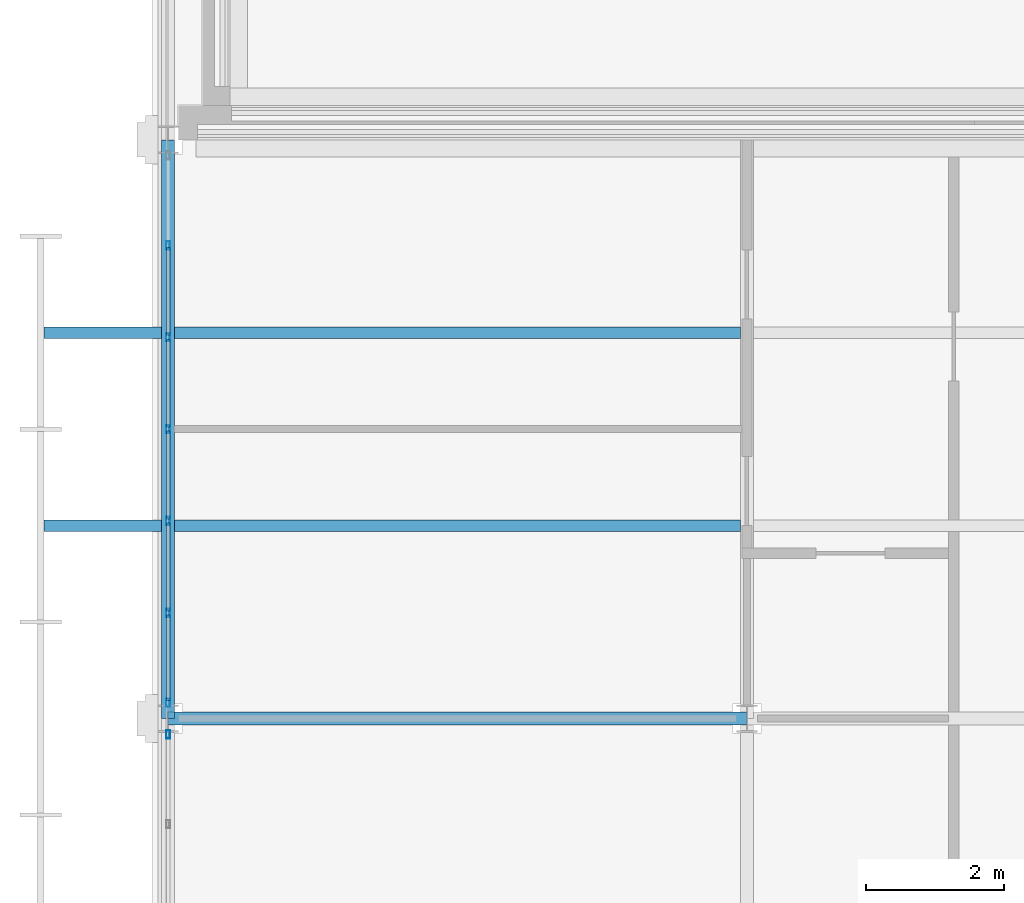
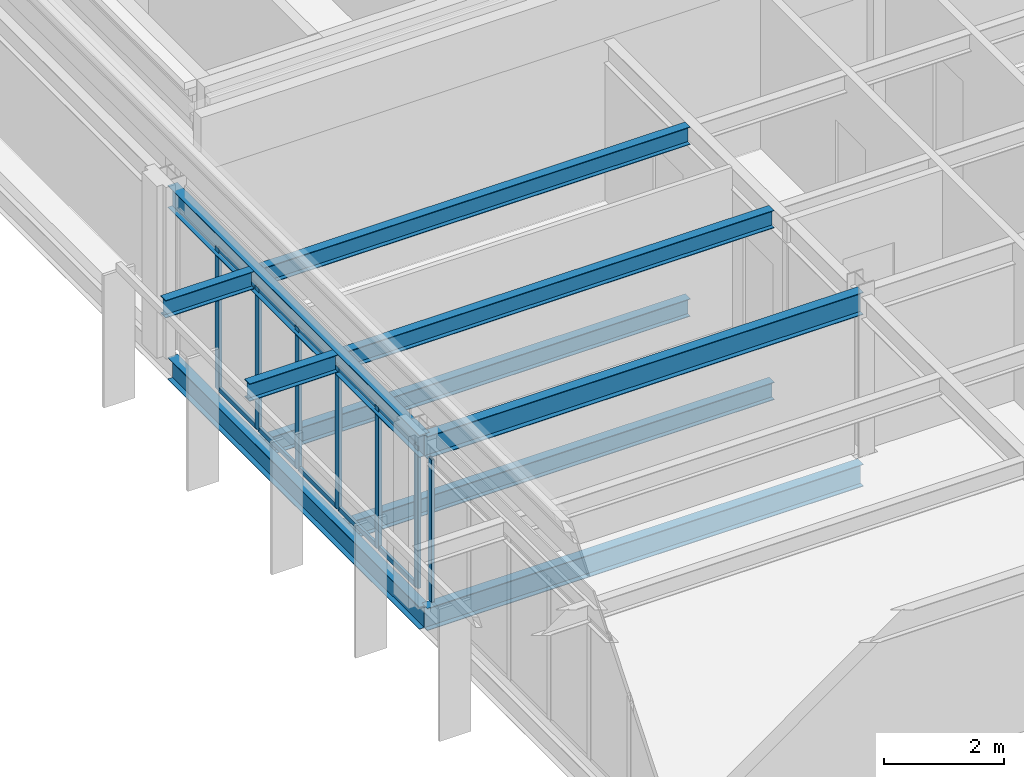
# One storey, part 15 of 31: 17 members, 10 beams, 2 elements without a shape of their own.
"""IFC4 building model written with IfcOpenShell, lengths in metres."""

import ifcopenshell
import ifcopenshell.guid

model = None  # the IFC model being written
_history = None  # IfcOwnerHistory: only IFC2X3 demands one
_inside = {}  # id of a spatial element -> (the spatial element, [elements in it])
_under = {}  # id of a project, library or spatial element -> (it, [spatial elements below it])
_declared = {}  # id of a project -> (the project, [libraries it declares])
_typed = {}  # id of a type object -> (the type object, [elements of that type])
_made_of = {}  # id of a material, layer set ... -> (it, [elements and type objects made of it])


def new_model(schema):
    """Start an empty IFC model of exactly this schema.

    Asked for "IFC4X3", IfcOpenShell would pick the latest addendum, in which some entities
    have other attributes; the version numbers below select the first issue.
    IFC2X3 requires an IfcOwnerHistory on every rooted entity: one is made here for all.
    """
    global model, _history
    if schema == "IFC4X3":
        model = ifcopenshell.file(schema_version=(4, 3, 0, 0))
    else:
        model = ifcopenshell.file(schema=schema)
    _inside.clear()
    _under.clear()
    _declared.clear()
    _typed.clear()
    _made_of.clear()
    _history = None
    if model.schema == "IFC2X3":
        org = make("IfcOrganization", Name="unknown")
        user = make(
            "IfcPersonAndOrganization",
            ThePerson=make("IfcPerson", FamilyName="unknown"),
            TheOrganization=org,
        )
        app = make(
            "IfcApplication",
            ApplicationDeveloper=org,
            Version="unknown",
            ApplicationFullName="unknown",
            ApplicationIdentifier="unknown",
        )
        _history = make(
            "IfcOwnerHistory",
            OwningUser=user,
            OwningApplication=app,
            ChangeAction="ADDED",
            CreationDate=0,
        )
    return model


def make(cls, **values):
    """One entity of the class cls with the attributes given. An attribute that is None is left unset."""
    return model.create_entity(
        cls, **{name: value for name, value in values.items() if value is not None}
    )


def rooted(cls, **values):
    """An entity with a GlobalId (a new one), such as an element, a storey or a relation."""
    return make(cls, GlobalId=ifcopenshell.guid.new(), OwnerHistory=_history, **values)


def si_unit(unit_type, name, prefix=None):
    """IfcSIUnit, for example si_unit("LENGTHUNIT", "METRE", prefix="MILLI")."""
    return make("IfcSIUnit", UnitType=unit_type, Prefix=prefix, Name=name)


def assignment(units):
    """IfcUnitAssignment: the units of a project."""
    return None if units is None else make("IfcUnitAssignment", Units=units)


def point(xyz):
    """IfcCartesianPoint."""
    return None if xyz is None else make("IfcCartesianPoint", Coordinates=xyz)


def direction(xyz):
    """IfcDirection."""
    return None if xyz is None else make("IfcDirection", DirectionRatios=xyz)


def frame(location, z_axis=None, x_axis=None):
    """IfcAxis2Placement3D, a coordinate frame: its origin and axes. An axis left out is left unset."""
    return make(
        "IfcAxis2Placement3D",
        Location=point(location),
        Axis=direction(z_axis),
        RefDirection=direction(x_axis),
    )


def frame_2d(location, x_axis=None):
    """IfcAxis2Placement2D, a coordinate frame in the plane: its origin and x axis."""
    return make(
        "IfcAxis2Placement2D", Location=point(location), RefDirection=direction(x_axis)
    )


def origin():
    """The frame at (0, 0, 0) with its axes left unset."""
    return frame((0.0, 0.0, 0.0))


def origin_2d():
    """The frame at (0, 0) in the plane with its x axis left unset."""
    return frame_2d((0.0, 0.0))


def place(relative_to, where):
    """IfcLocalPlacement: puts the frame where relative to a parent placement (None: the world)."""
    return make(
        "IfcLocalPlacement", PlacementRelTo=relative_to, RelativePlacement=where
    )


def context(
    kind, dimensions, precision=None, world=None, true_north=None, identifier=None
):
    """IfcGeometricRepresentationContext, for example the 3D "Model" context."""
    return make(
        "IfcGeometricRepresentationContext",
        ContextIdentifier=identifier,
        ContextType=kind,
        CoordinateSpaceDimension=dimensions,
        Precision=precision,
        WorldCoordinateSystem=world,
        TrueNorth=true_north,
    )


def subcontext(parent, identifier, kind, view, scale=None):
    """IfcGeometricRepresentationSubContext, for example "Body" below "Model"."""
    return make(
        "IfcGeometricRepresentationSubContext",
        ContextIdentifier=identifier,
        ContextType=kind,
        ParentContext=parent,
        TargetScale=scale,
        TargetView=view,
    )


def project(units=None, contexts=None):
    """IfcProject with its units and contexts."""
    return rooted(
        "IfcProject",
        Name="project",
        RepresentationContexts=contexts,
        UnitsInContext=assignment(units),
    )


def spatial(cls, under=None, at=None, **own):
    """A site, building, storey or space (cls), placed at a placement, below another one or the project."""
    s = rooted(cls, ObjectPlacement=at, **own)
    if under is not None:
        _under.setdefault(under.id(), (under, []))[1].append(s)
    return s


def profile(cls, at=None, kind="AREA", **sizes):
    """A parametric profile (cls). Its sizes go by their IFC names, for example OverallWidth=200.0."""
    return make(cls, ProfileType=kind, Position=at, **sizes)


def hollow_rectangle(**sizes):
    """IfcRectangleHollowProfileDef."""
    return profile("IfcRectangleHollowProfileDef", **sizes)


def i_section(**sizes):
    """IfcIShapeProfileDef."""
    return profile("IfcIShapeProfileDef", **sizes)


def extrude(swept, where, along, depth):
    """IfcExtrudedAreaSolid: the profile swept, set in the frame where, extruded along a direction by depth."""
    return make(
        "IfcExtrudedAreaSolid",
        SweptArea=swept,
        Position=where,
        ExtrudedDirection=direction(along),
        Depth=depth,
    )


def shape(context_of_items, identifier, shape_type, items):
    """IfcShapeRepresentation: the items that make up one representation, for example the "Body"."""
    return make(
        "IfcShapeRepresentation",
        ContextOfItems=context_of_items,
        RepresentationIdentifier=identifier,
        RepresentationType=shape_type,
        Items=items,
    )


def material(Name=None, Category=None):
    """IfcMaterial."""
    return make("IfcMaterial", Name=Name, Category=Category)


def material_profile(
    of_material, cross_section, Name=None, Category=None, Priority=None
):
    """IfcMaterialProfile: a cross section and its material."""
    return make(
        "IfcMaterialProfile",
        Name=Name,
        Material=of_material,
        Profile=cross_section,
        Priority=Priority,
        Category=Category,
    )


def profile_set(profiles, Name=None, composite=None):
    """IfcMaterialProfileSet."""
    return make(
        "IfcMaterialProfileSet",
        Name=Name,
        MaterialProfiles=profiles,
        CompositeProfile=composite,
    )


def made_of(thing, what):
    """Note that an element or type object is made of a material, layer set ...; save() writes the relation."""
    if what is not None:
        _made_of.setdefault(what.id(), (what, []))[1].append(thing)
    return thing


def type_object(cls, material=None, **own):
    """A type object (cls), such as IfcWallType, which elements share."""
    return made_of(rooted(cls, **own), material)


def element(
    cls,
    number,
    at=None,
    inside=None,
    cuts=None,
    type_object=None,
    material=None,
    context=None,
    identifier="Body",
    shape_type=None,
    held_by="IfcProductDefinitionShape",
    body=None,
    shapes=None,
    **own,
):
    """One element of the class cls, such as IfcWall. Its Tag is "e" and its number.

    at: its placement. inside: the storey or other place that contains it. cuts: it is an
    opening in that element (IfcRelVoidsElement). A single representation is given by context,
    identifier, shape_type and body (its items); several are given by shapes. held_by: the class
    of the entity that holds the representations. save() writes the other relations.
    """
    e = rooted(cls, Tag="e%d" % number, ObjectPlacement=at, **own)
    if body is not None:
        shapes = [shape(context, identifier, shape_type, body)]
    if shapes is not None:
        e.Representation = make(held_by, Representations=shapes)
    if inside is not None:
        _inside.setdefault(inside.id(), (inside, []))[1].append(e)
    if cuts is not None:
        rooted(
            "IfcRelVoidsElement", RelatingBuildingElement=cuts, RelatedOpeningElement=e
        )
    if type_object is not None:
        _typed.setdefault(type_object.id(), (type_object, []))[1].append(e)
    return made_of(e, material)


def aggregate(whole, parts):
    """IfcRelAggregates: a whole, such as a stair, and the parts it consists of."""
    return rooted("IfcRelAggregates", RelatingObject=whole, RelatedObjects=parts)


def save(model, path):
    """Write the relations noted so far, then the file.

    IfcRelAggregates (storeys below a building ...), IfcRelContainedInSpatialStructure (elements
    in a storey), IfcRelDefinesByType, IfcRelAssociatesMaterial and IfcRelDeclares: one each for
    every whole, place, type object, material and project.
    """
    for whole, parts in _under.values():
        aggregate(whole, parts)
    for where, things in _inside.values():
        rooted(
            "IfcRelContainedInSpatialStructure",
            RelatedElements=things,
            RelatingStructure=where,
        )
    for kind, things in _typed.values():
        rooted("IfcRelDefinesByType", RelatedObjects=things, RelatingType=kind)
    for what, things in _made_of.values():
        rooted("IfcRelAssociatesMaterial", RelatedObjects=things, RelatingMaterial=what)
    for by, libraries in _declared.values():
        rooted("IfcRelDeclares", RelatingContext=by, RelatedDefinitions=libraries)
    model.write(path)


model = new_model("IFC4")

# Units and contexts
model_context = context("Model", 3, precision=1e-05, world=origin(), true_north=direction((0.0, 1.0)))
body_context = subcontext(model_context, "Body", "Model", "MODEL_VIEW")
ifc_project = project(units=[si_unit("LENGTHUNIT", "METRE"), si_unit("AREAUNIT", "SQUARE_METRE"), si_unit("VOLUMEUNIT", "CUBIC_METRE"), si_unit("PLANEANGLEUNIT", "RADIAN"), si_unit("MASSUNIT", "GRAM", prefix="KILO")], contexts=[model_context])

# Site, building, storey
site_placement = place(None, origin())
site = spatial("IfcSite", under=ifc_project, at=site_placement, CompositionType="ELEMENT")
building_placement = place(site_placement, origin())
building = spatial("IfcBuilding", under=site, at=building_placement, Name="Catenary Quay Ferry Terminal", CompositionType="ELEMENT")
storey_placement = place(building_placement, frame((0.0, 0.0, 20.60009765625)))
storey = spatial("IfcBuildingStorey", under=building, at=storey_placement, Name="L04", CompositionType="ELEMENT", Elevation=20.60009765625)

# Beams
ifc_material_1 = material(Name="Steel S355", Category="steel")
ifc_material_profile_1 = material_profile(ifc_material_1, i_section(OverallWidth=0.18994140625, OverallDepth=0.453369140625, WebThickness=0.008544921875, FlangeThickness=0.0126953125, at=origin_2d()), Name="UB 457x191x67")
ifc_profile_set_1 = profile_set([ifc_material_profile_1], Name="Steel S355")
beam_type_1 = type_object("IfcBeamType", Name="B1 UB 457x191x67", PredefinedType="BEAM", material=ifc_profile_set_1)
for number, where, z_axis, x_axis, name in (
    (1, (25.199951171875, 193.199951171875, -0.47705078125), (1.0, 0.0, 0.0), (0.0, 1.0, 0.0), "Beam B1-007"),
    (2, (25.199951171875, 193.199951171875, -0.47705078125), (0.0, 1.0, 0.0), (-1.0, 0.0, 0.0), "Beam B1-014"),
    (3, (25.199951171875, 193.199951171875, 3.02294921875), (1.0, 0.0, 0.0), (0.0, 1.0, 0.0), "Beam B1-005"),
    (4, (25.199951171875, 193.199951171875, 3.02294921875), (0.0, 1.0, 0.0), (-1.0, 0.0, 0.0), "Beam B1-011"),
):
    element("IfcBeam", number, at=place(storey_placement, frame(where, z_axis=z_axis, x_axis=x_axis)), inside=storey, type_object=beam_type_1, Name=name, PredefinedType="BEAM", context=body_context, shape_type="SweptSolid", body=[
        extrude(i_section(OverallWidth=0.18994140625, OverallDepth=0.453369140625, WebThickness=0.008544921875, FlangeThickness=0.0126953125, at=origin_2d()), origin(), (0.0, 0.0, 1.0), 8.400146484375),
    ])
ifc_material_2 = material(Name="Steel S355", Category="steel")
ifc_material_profile_2 = material_profile(ifc_material_2, i_section(OverallWidth=0.169921875, OverallDepth=0.360107421875, WebThickness=0.008056640625, FlangeThickness=0.0126953125, at=origin_2d()), Name="IPE 360")
ifc_profile_set_2 = profile_set([ifc_material_profile_2], Name="Steel S355")
beam_type_2 = type_object("IfcBeamType", Name="B7 IPE 360", PredefinedType="BEAM", material=ifc_profile_set_2)
for number, where, z_axis, x_axis, name in (
    (5, (25.294921875, 196.0, -0.43017578125), (1.0, 0.0, 0.0), (0.0, 1.0, 0.0), "Beam B7-019"),
    (6, (25.294921875, 198.800048828125, -0.43017578125), (1.0, 0.0, 0.0), (0.0, 1.0, 0.0), "Beam B7-022"),
    (7, (25.294921875, 196.0, 3.06982421875), (1.0, 0.0, 0.0), (0.0, 1.0, 0.0), "Beam B7-013"),
    (8, (25.294921875, 198.800048828125, 3.06982421875), (1.0, 0.0, 0.0), (0.0, 1.0, 0.0), "Beam B7-015"),
):
    element("IfcBeam", number, at=place(storey_placement, frame(where, z_axis=z_axis, x_axis=x_axis)), inside=storey, type_object=beam_type_2, Name=name, PredefinedType="BEAM", context=body_context, shape_type="SweptSolid", body=[
        extrude(i_section(OverallWidth=0.169921875, OverallDepth=0.360107421875, WebThickness=0.008056640625, FlangeThickness=0.0126953125, at=origin_2d()), origin(), (0.0, 0.0, 1.0), 8.2099609375),
    ])
ifc_material_3 = material(Name="Steel S355", Category="steel")
ifc_material_profile_3 = material_profile(ifc_material_3, i_section(OverallWidth=0.169921875, OverallDepth=0.360107421875, WebThickness=0.008056640625, FlangeThickness=0.0126953125, at=origin_2d()), Name="IPE 360")
ifc_profile_set_3 = profile_set([ifc_material_profile_3], Name="Steel S355")
beam_type_3 = type_object("IfcBeamType", Name="B9 IPE 360", PredefinedType="BEAM", material=ifc_profile_set_3)
for number, where, z_axis, x_axis, name in (
    (9, (25.1044921875, 196.0, 3.06982421875), (-1.0, 0.0, 0.0), (0.0, -1.0, 0.0), "Eaves cantilever W7"),
    (10, (25.1044921875, 198.800048828125, 3.06982421875), (-1.0, 0.0, 0.0), (0.0, -1.0, 0.0), "Eaves cantilever W8"),
):
    element("IfcBeam", number, at=place(storey_placement, frame(where, z_axis=z_axis, x_axis=x_axis)), inside=storey, type_object=beam_type_3, Name=name, PredefinedType="BEAM", context=body_context, shape_type="SweptSolid", body=[
        extrude(i_section(OverallWidth=0.169921875, OverallDepth=0.360107421875, WebThickness=0.008056640625, FlangeThickness=0.0126953125, at=origin_2d()), origin(), (0.0, 0.0, 1.0), 1.70458984375),
    ])

# Curtain wall, member
ifc_material_4 = material(Name="Aluminium and glass", Category="aluminium")
curtain_wall_type = type_object("IfcCurtainWallType", Name="CWW5", PredefinedType="NOTDEFINED", material=ifc_material_4)
curtain_wall_1_placement = place(storey_placement, origin())
curtain_wall_1 = element("IfcCurtainWall", 11, at=curtain_wall_1_placement, inside=storey, type_object=curtain_wall_type, Name="Wing curtain wall CW156", PredefinedType="NOTDEFINED")
ifc_material_5 = material(Name="Aluminium", Category="aluminium")
ifc_material_profile_4 = material_profile(ifc_material_5, hollow_rectangle(XDim=0.06005859375, YDim=0.1201171875, WallThickness=0.0048828125, at=origin_2d()), Name="MU4")
ifc_profile_set_4 = profile_set([ifc_material_profile_4], Name="Aluminium")
member_type_1 = type_object("IfcMemberType", Name="MU4", PredefinedType="MULLION", material=ifc_profile_set_4)
member_1_placement = place(storey_placement, frame((25.199951171875, 192.969970703125, 0.0), z_axis=(0.0, 0.0, 1.0), x_axis=(-1.0, 0.0, 0.0)))
member_1 = element("IfcMember", 12, at=member_1_placement, type_object=member_type_1, Name="CW156 mullion 7", PredefinedType="MULLION", context=body_context, shape_type="SweptSolid", body=[
    extrude(hollow_rectangle(XDim=0.06005859375, YDim=0.1201171875, WallThickness=0.0048828125, at=origin_2d()), origin(), (0.0, 0.0, 1.0), 2.89990234375),
])
aggregate(curtain_wall_1, [member_1])

# Curtain wall, members
curtain_wall_2_placement = place(storey_placement, origin())
curtain_wall_2 = element("IfcCurtainWall", 13, at=curtain_wall_2_placement, inside=storey, type_object=curtain_wall_type, Name="Wing curtain wall CW157", PredefinedType="NOTDEFINED")
member_2_placement = place(storey_placement, frame((25.199951171875, 193.429931640625, 0.0), z_axis=(0.0, 0.0, 1.0), x_axis=(-1.0, 0.0, 0.0)))
member_2 = element("IfcMember", 14, at=member_2_placement, type_object=member_type_1, Name="CW157 mullion 1", PredefinedType="MULLION", context=body_context, shape_type="SweptSolid", body=[
    extrude(hollow_rectangle(XDim=0.06005859375, YDim=0.1201171875, WallThickness=0.0048828125, at=origin_2d()), origin(), (0.0, 0.0, 1.0), 2.89990234375),
])
member_3_placement = place(storey_placement, frame((25.199951171875, 194.7333984375, 0.0), z_axis=(0.0, 0.0, 1.0), x_axis=(-1.0, 0.0, 0.0)))
member_3 = element("IfcMember", 15, at=member_3_placement, type_object=member_type_1, Name="CW157 mullion 2", PredefinedType="MULLION", context=body_context, shape_type="SweptSolid", body=[
    extrude(hollow_rectangle(XDim=0.06005859375, YDim=0.1201171875, WallThickness=0.0048828125, at=origin_2d()), origin(), (0.0, 0.0, 1.0), 2.89990234375),
])
member_4_placement = place(storey_placement, frame((25.199951171875, 196.066650390625, 0.0), z_axis=(0.0, 0.0, 1.0), x_axis=(-1.0, 0.0, 0.0)))
member_4 = element("IfcMember", 16, at=member_4_placement, type_object=member_type_1, Name="CW157 mullion 3", PredefinedType="MULLION", context=body_context, shape_type="SweptSolid", body=[
    extrude(hollow_rectangle(XDim=0.06005859375, YDim=0.1201171875, WallThickness=0.0048828125, at=origin_2d()), origin(), (0.0, 0.0, 1.0), 2.89990234375),
])
member_5_placement = place(storey_placement, frame((25.199951171875, 197.39990234375, 0.0), z_axis=(0.0, 0.0, 1.0), x_axis=(-1.0, 0.0, 0.0)))
member_5 = element("IfcMember", 17, at=member_5_placement, type_object=member_type_1, Name="CW157 mullion 4", PredefinedType="MULLION", context=body_context, shape_type="SweptSolid", body=[
    extrude(hollow_rectangle(XDim=0.06005859375, YDim=0.1201171875, WallThickness=0.0048828125, at=origin_2d()), origin(), (0.0, 0.0, 1.0), 2.89990234375),
])
member_6_placement = place(storey_placement, frame((25.199951171875, 198.7333984375, 0.0), z_axis=(0.0, 0.0, 1.0), x_axis=(-1.0, 0.0, 0.0)))
member_6 = element("IfcMember", 18, at=member_6_placement, type_object=member_type_1, Name="CW157 mullion 5", PredefinedType="MULLION", context=body_context, shape_type="SweptSolid", body=[
    extrude(hollow_rectangle(XDim=0.06005859375, YDim=0.1201171875, WallThickness=0.0048828125, at=origin_2d()), origin(), (0.0, 0.0, 1.0), 2.89990234375),
])
member_7_placement = place(storey_placement, frame((25.199951171875, 200.066650390625, 0.0), z_axis=(0.0, 0.0, 1.0), x_axis=(-1.0, 0.0, 0.0)))
member_7 = element("IfcMember", 19, at=member_7_placement, type_object=member_type_1, Name="CW157 mullion 6", PredefinedType="MULLION", context=body_context, shape_type="SweptSolid", body=[
    extrude(hollow_rectangle(XDim=0.06005859375, YDim=0.1201171875, WallThickness=0.0048828125, at=origin_2d()), origin(), (0.0, 0.0, 1.0), 2.89990234375),
])
ifc_material_6 = material(Name="Aluminium", Category="aluminium")
ifc_material_profile_5 = material_profile(ifc_material_6, hollow_rectangle(XDim=0.050048828125, YDim=0.10009765625, WallThickness=0.00390625, at=origin_2d()), Name="TR4")
ifc_profile_set_5 = profile_set([ifc_material_profile_5], Name="Aluminium")
member_type_2 = type_object("IfcMemberType", Name="TR4", PredefinedType="USERDEFINED", material=ifc_profile_set_5)
member_8_placement = place(storey_placement, frame((25.199951171875, 193.4599609375, 0.02490234375), z_axis=(0.0, 1.0, 0.0), x_axis=(-1.0, 0.0, 0.0)))
member_8 = element("IfcMember", 20, at=member_8_placement, type_object=member_type_2, Name="CW157 transom 1.1", ObjectType="TRANSOM", PredefinedType="USERDEFINED", context=body_context, shape_type="SweptSolid", body=[
    extrude(hollow_rectangle(XDim=0.050048828125, YDim=0.10009765625, WallThickness=0.00390625, at=origin_2d()), origin(), (0.0, 0.0, 1.0), 1.243408203125),
])
member_9_placement = place(storey_placement, frame((25.199951171875, 193.4599609375, 2.875), z_axis=(0.0, 1.0, 0.0), x_axis=(-1.0, 0.0, 0.0)))
member_9 = element("IfcMember", 21, at=member_9_placement, type_object=member_type_2, Name="CW157 transom 1.2", ObjectType="TRANSOM", PredefinedType="USERDEFINED", context=body_context, shape_type="SweptSolid", body=[
    extrude(hollow_rectangle(XDim=0.050048828125, YDim=0.10009765625, WallThickness=0.00390625, at=origin_2d()), origin(), (0.0, 0.0, 1.0), 1.243408203125),
])
member_10_placement = place(storey_placement, frame((25.199951171875, 194.763427734375, 0.02490234375), z_axis=(0.0, 1.0, 0.0), x_axis=(-1.0, 0.0, 0.0)))
member_10 = element("IfcMember", 22, at=member_10_placement, type_object=member_type_2, Name="CW157 transom 2.1", ObjectType="TRANSOM", PredefinedType="USERDEFINED", context=body_context, shape_type="SweptSolid", body=[
    extrude(hollow_rectangle(XDim=0.050048828125, YDim=0.10009765625, WallThickness=0.00390625, at=origin_2d()), origin(), (0.0, 0.0, 1.0), 1.273193359375),
])
member_11_placement = place(storey_placement, frame((25.199951171875, 194.763427734375, 2.875), z_axis=(0.0, 1.0, 0.0), x_axis=(-1.0, 0.0, 0.0)))
member_11 = element("IfcMember", 23, at=member_11_placement, type_object=member_type_2, Name="CW157 transom 2.2", ObjectType="TRANSOM", PredefinedType="USERDEFINED", context=body_context, shape_type="SweptSolid", body=[
    extrude(hollow_rectangle(XDim=0.050048828125, YDim=0.10009765625, WallThickness=0.00390625, at=origin_2d()), origin(), (0.0, 0.0, 1.0), 1.273193359375),
])
member_12_placement = place(storey_placement, frame((25.199951171875, 196.0966796875, 0.02490234375), z_axis=(0.0, 1.0, 0.0), x_axis=(-1.0, 0.0, 0.0)))
member_12 = element("IfcMember", 24, at=member_12_placement, type_object=member_type_2, Name="CW157 transom 3.1", ObjectType="TRANSOM", PredefinedType="USERDEFINED", context=body_context, shape_type="SweptSolid", body=[
    extrude(hollow_rectangle(XDim=0.050048828125, YDim=0.10009765625, WallThickness=0.00390625, at=origin_2d()), origin(), (0.0, 0.0, 1.0), 1.2734375),
])
member_13_placement = place(storey_placement, frame((25.199951171875, 196.0966796875, 2.875), z_axis=(0.0, 1.0, 0.0), x_axis=(-1.0, 0.0, 0.0)))
member_13 = element("IfcMember", 25, at=member_13_placement, type_object=member_type_2, Name="CW157 transom 3.2", ObjectType="TRANSOM", PredefinedType="USERDEFINED", context=body_context, shape_type="SweptSolid", body=[
    extrude(hollow_rectangle(XDim=0.050048828125, YDim=0.10009765625, WallThickness=0.00390625, at=origin_2d()), origin(), (0.0, 0.0, 1.0), 1.2734375),
])
member_14_placement = place(storey_placement, frame((25.199951171875, 197.429931640625, 0.02490234375), z_axis=(0.0, 1.0, 0.0), x_axis=(-1.0, 0.0, 0.0)))
member_14 = element("IfcMember", 26, at=member_14_placement, type_object=member_type_2, Name="CW157 transom 4.1", ObjectType="TRANSOM", PredefinedType="USERDEFINED", context=body_context, shape_type="SweptSolid", body=[
    extrude(hollow_rectangle(XDim=0.050048828125, YDim=0.10009765625, WallThickness=0.00390625, at=origin_2d()), origin(), (0.0, 0.0, 1.0), 1.2734375),
])
member_15_placement = place(storey_placement, frame((25.199951171875, 197.429931640625, 2.875), z_axis=(0.0, 1.0, 0.0), x_axis=(-1.0, 0.0, 0.0)))
member_15 = element("IfcMember", 27, at=member_15_placement, type_object=member_type_2, Name="CW157 transom 4.2", ObjectType="TRANSOM", PredefinedType="USERDEFINED", context=body_context, shape_type="SweptSolid", body=[
    extrude(hollow_rectangle(XDim=0.050048828125, YDim=0.10009765625, WallThickness=0.00390625, at=origin_2d()), origin(), (0.0, 0.0, 1.0), 1.2734375),
])
member_16_placement = place(storey_placement, frame((25.199951171875, 198.763427734375, 0.02490234375), z_axis=(0.0, 1.0, 0.0), x_axis=(-1.0, 0.0, 0.0)))
member_16 = element("IfcMember", 28, at=member_16_placement, type_object=member_type_2, Name="CW157 transom 5.1", ObjectType="TRANSOM", PredefinedType="USERDEFINED", context=body_context, shape_type="SweptSolid", body=[
    extrude(hollow_rectangle(XDim=0.050048828125, YDim=0.10009765625, WallThickness=0.00390625, at=origin_2d()), origin(), (0.0, 0.0, 1.0), 1.273193359375),
])
member_17_placement = place(storey_placement, frame((25.199951171875, 198.763427734375, 2.875), z_axis=(0.0, 1.0, 0.0), x_axis=(-1.0, 0.0, 0.0)))
member_17 = element("IfcMember", 29, at=member_17_placement, type_object=member_type_2, Name="CW157 transom 5.2", ObjectType="TRANSOM", PredefinedType="USERDEFINED", context=body_context, shape_type="SweptSolid", body=[
    extrude(hollow_rectangle(XDim=0.050048828125, YDim=0.10009765625, WallThickness=0.00390625, at=origin_2d()), origin(), (0.0, 0.0, 1.0), 1.273193359375),
])
aggregate(curtain_wall_2, [member_2, member_3, member_4, member_5, member_6, member_7, member_8, member_9, member_10, member_11, member_12, member_13, member_14, member_15, member_16, member_17])

save(model, "model.ifc")
